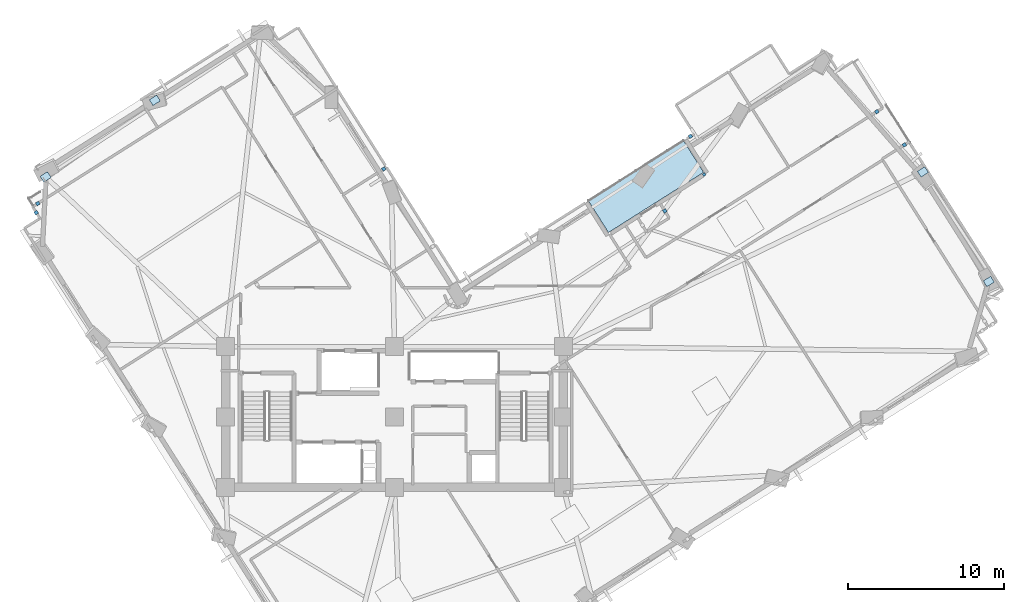
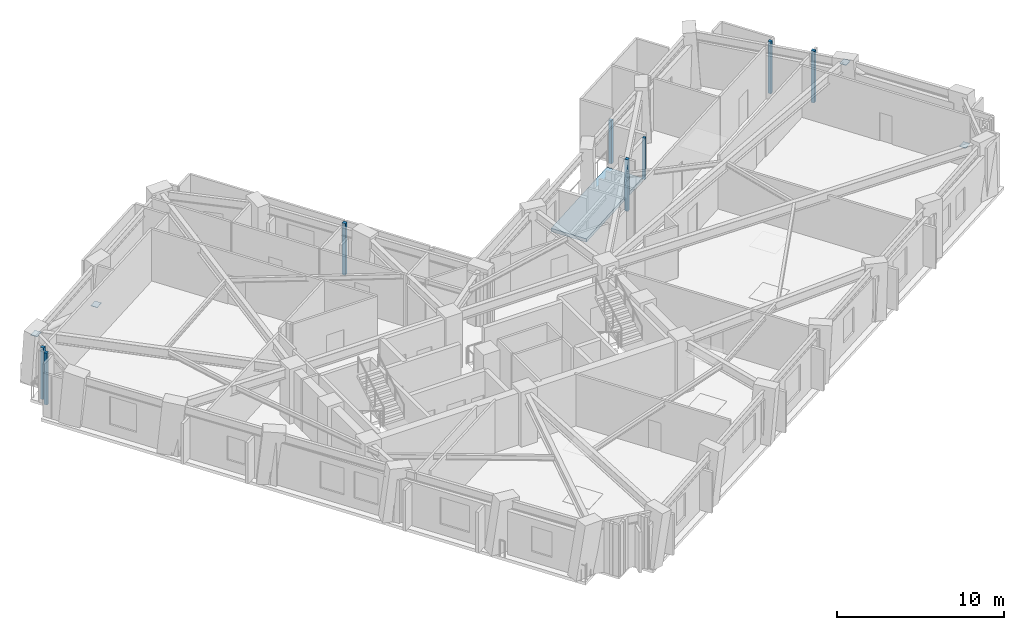
# One storey, part 4 of 14: 12 plates, 1 slab.
"""IFC4 building model written with IfcOpenShell, lengths in metres."""

from ifc_helpers import new_model, si_unit, direction, frame, origin, origin_2d, place, context, subcontext, project, spatial, polyline, rectangle, outline, extrude, material, layer, layer_set, type_object, element, save


model = new_model("IFC4")

# Units and contexts
model_context = context("Model", 3, precision=1e-05, world=origin(), true_north=direction((0.0, 1.0)))
body_context = subcontext(model_context, "Body", "Model", "MODEL_VIEW")
ifc_project = project(units=[si_unit("LENGTHUNIT", "METRE"), si_unit("AREAUNIT", "SQUARE_METRE"), si_unit("VOLUMEUNIT", "CUBIC_METRE"), si_unit("PLANEANGLEUNIT", "RADIAN"), si_unit("MASSUNIT", "GRAM", prefix="KILO")], contexts=[model_context])

# Site, building, storey
site_placement = place(None, origin())
site = spatial("IfcSite", under=ifc_project, at=site_placement, CompositionType="ELEMENT")
building_placement = place(site_placement, origin())
building = spatial("IfcBuilding", under=site, at=building_placement, Name="Gaonmaruhae Medical Tower", CompositionType="ELEMENT")
storey_placement = place(building_placement, frame((0.0, 0.0, 161.800048828125)))
storey = spatial("IfcBuildingStorey", under=building, at=storey_placement, Name="L38", CompositionType="ELEMENT", Elevation=161.800048828125)

# Plates
ifc_material_1 = material(Name="Steel HSA650 (650 MPa)", Category="steel")
ifc_layer_1 = layer(ifc_material_1, 0.028076171875)
ifc_layer_set_1 = layer_set([ifc_layer_1], Name="Steel HSA650 (650 MPa)")
plate_type_1 = type_object("IfcPlateType", Name="GP-02 Tube Brace End Cap Gusset Plate", PredefinedType="USERDEFINED", material=ifc_layer_set_1)
for number, where, z_axis, x_axis, name in (
    (1, (62.817626953125, 20.969970703125, 0.23583984375), (0.0, 0.0, 1.0), (0.845261833222, 0.53435234939, 0.0), "L38 Gusset Cap Plate PLT-L38-PBR-E01A"),
    (2, (58.6005859375, 27.977783203125, 3.51611328125), (0.0, 0.0, 1.0), (0.836286155848, 0.54829322952, 0.0), "L38 Gusset Cap Plate PLT-L38-PBR-E01B"),
    (3, (9.471435546875, 32.55712890625, 0.23583984375), (0.0, 0.0, 1.0), (0.845261833222, 0.53435234939, 0.0), "L38 Gusset Cap Plate PLT-L38-PBR-N02A"),
    (4, (2.488525390625, 27.659912109375, 3.51611328125), (0.0, 0.0, 1.0), (0.836286155848, 0.54829322952, 0.0), "L38 Gusset Cap Plate PLT-L38-PBR-N02B"),
):
    element("IfcPlate", number, at=place(storey_placement, frame(where, z_axis=z_axis, x_axis=x_axis)), inside=storey, type_object=plate_type_1, Name=name, ObjectType="GUSSET_PLATE", PredefinedType="USERDEFINED", context=body_context, shape_type="SweptSolid", body=[
        extrude(rectangle(XDim=0.56005859375, YDim=0.43994140625, at=origin_2d()), origin(), (0.0, 0.0, 1.0), 0.028076171875),
    ])
ifc_material_2 = material(Name="Anodised aluminium 6063-T6", Category="aluminium")
ifc_layer_2 = layer(ifc_material_2, 0.011962890625)
ifc_layer_set_2 = layer_set([ifc_layer_2], Name="Anodised aluminium 6063-T6")
plate_type_2 = type_object("IfcPlateType", Name="PP-01 Interior Partition Corner Stiffener Plate", PredefinedType="SHEET", material=ifc_layer_set_2)
plate_1_placement = place(storey_placement, frame((44.61572265625, 27.8125, 0.0), z_axis=(0.0, 0.0, 1.0), x_axis=(0.845261833222, 0.53435234939, 0.0)))
element("IfcPlate", 5, at=plate_1_placement, inside=storey, type_object=plate_type_2, Name="L38 Partition End Jamb Post Plate PLT-L38-ENDP-TERB-1", PredefinedType="SHEET", context=body_context, shape_type="SweptSolid", body=[
    extrude(rectangle(XDim=0.179931640625, YDim=0.179931640625, at=origin_2d()), origin(), (0.0, 0.0, 1.0), 3.044921875),
])
for number, where, z_axis, x_axis, name in (
    (6, (1.883056640625, 25.37890625, 0.0), (0.0, 0.0, 1.0), (-0.534514618163, 0.845159229358, 0.0), "L38 Partition Corner Stiffener Plate PLT-L38-JGP-PW046"),
    (7, (1.986083984375, 25.9619140625, 0.0), (0.0, 0.0, 1.0), (0.845308461043, 0.534278584345, 0.0), "L38 Partition Corner Stiffener Plate PLT-L38-JGP-PW047"),
    (8, (42.093994140625, 25.4814453125, 0.0), (0.0, 0.0, 1.0), (-0.534853843747, 0.844944593349, 0.0), "L38 Partition Corner Stiffener Plate PLT-L38-JGP-PW073"),
):
    element("IfcPlate", number, at=place(storey_placement, frame(where, z_axis=z_axis, x_axis=x_axis)), inside=storey, type_object=plate_type_2, Name=name, PredefinedType="SHEET", context=body_context, shape_type="SweptSolid", body=[
        extrude(rectangle(XDim=0.219970703125, YDim=0.219970703125, at=origin_2d()), origin(), (0.0, 0.0, 1.0), 3.780029296875),
    ])
plate_2_placement = place(storey_placement, frame((43.734619140625, 30.260009765625, 0.0), z_axis=(0.0, 0.0, 1.0), x_axis=(0.845662622081, 0.533717837078, 0.0)))
element("IfcPlate", 9, at=plate_2_placement, inside=storey, type_object=plate_type_2, Name="L38 Partition Corner Stiffener Plate PLT-L38-JGP-PW074", PredefinedType="SHEET", context=body_context, shape_type="SweptSolid", body=[
    extrude(rectangle(XDim=0.219970703125, YDim=0.219970703125, at=origin_2d()), origin(), (0.0, 0.0, 1.0), 3.14501953125),
])
for number, where, z_axis, x_axis, name in (
    (10, (55.654541015625, 31.8330078125, 0.0), (0.0, 0.0, 1.0), (-0.84511258094, -0.534588370184, 0.0), "L38 Partition Corner Stiffener Plate PLT-L38-JGP-PW079"),
    (11, (24.114990234375, 28.16796875, 0.0), (0.0, 0.0, 1.0), (0.845923344829, 0.533304504644, 0.0), "L38 Partition Corner Stiffener Plate PLT-L38-JGP-PW085"),
    (12, (57.416015625, 29.70556640625, 0.0), (0.0, 0.0, 1.0), (0.845392374897, 0.534145797012, 0.0), "L38 Partition Corner Stiffener Plate PLT-L38-JGP-PW104"),
):
    element("IfcPlate", number, at=place(storey_placement, frame(where, z_axis=z_axis, x_axis=x_axis)), inside=storey, type_object=plate_type_2, Name=name, PredefinedType="SHEET", context=body_context, shape_type="SweptSolid", body=[
        extrude(rectangle(XDim=0.219970703125, YDim=0.219970703125, at=origin_2d()), origin(), (0.0, 0.0, 1.0), 3.780029296875),
    ])

# Slab
ifc_material_3 = material(Name="Concrete C40/50", Category="concrete")
ifc_layer_3 = layer(ifc_material_3, 0.239990234375)
ifc_layer_set_3 = layer_set([ifc_layer_3], Name="Concrete C40/50")
slab_type = type_object("IfcSlabType", Name="TS-240 Sky Garden & Recovery Terrace Slab", PredefinedType="FLOOR", material=ifc_layer_set_3)
slab_placement = place(storey_placement, frame((0.0, 0.0, -0.239990234375)))
element("IfcSlab", 13, at=slab_placement, inside=storey, type_object=slab_type, Name="L38 Outdoor Recovery Terrace Slab", PredefinedType="FLOOR", context=body_context, shape_type="SweptSolid", body=[
    extrude(outline(polyline([(38.489013671875, 24.10498046875), (44.574951171875, 27.9521484375), (43.29248046875, 29.980712890625), (37.20654296875, 26.133544921875), (38.489013671875, 24.10498046875)])), origin(), (0.0, 0.0, 1.0), 0.239990234375),
])

save(model, "model.ifc")
